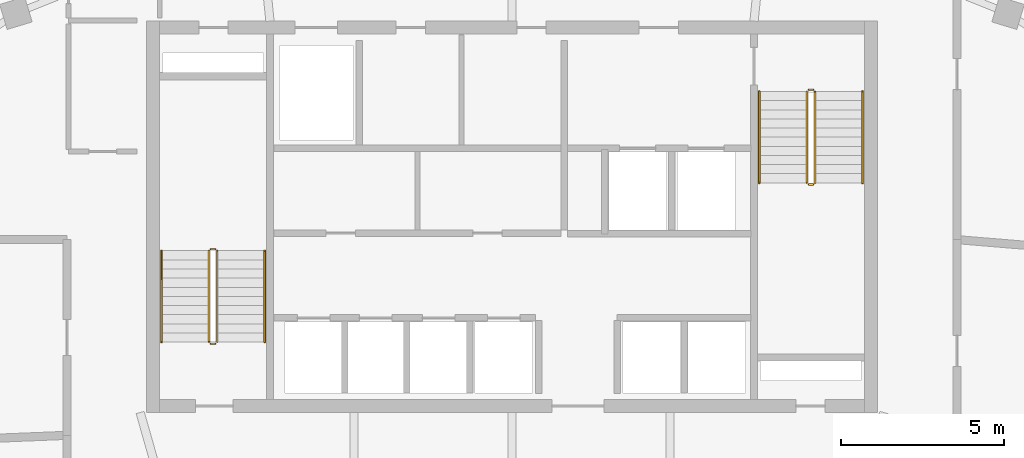
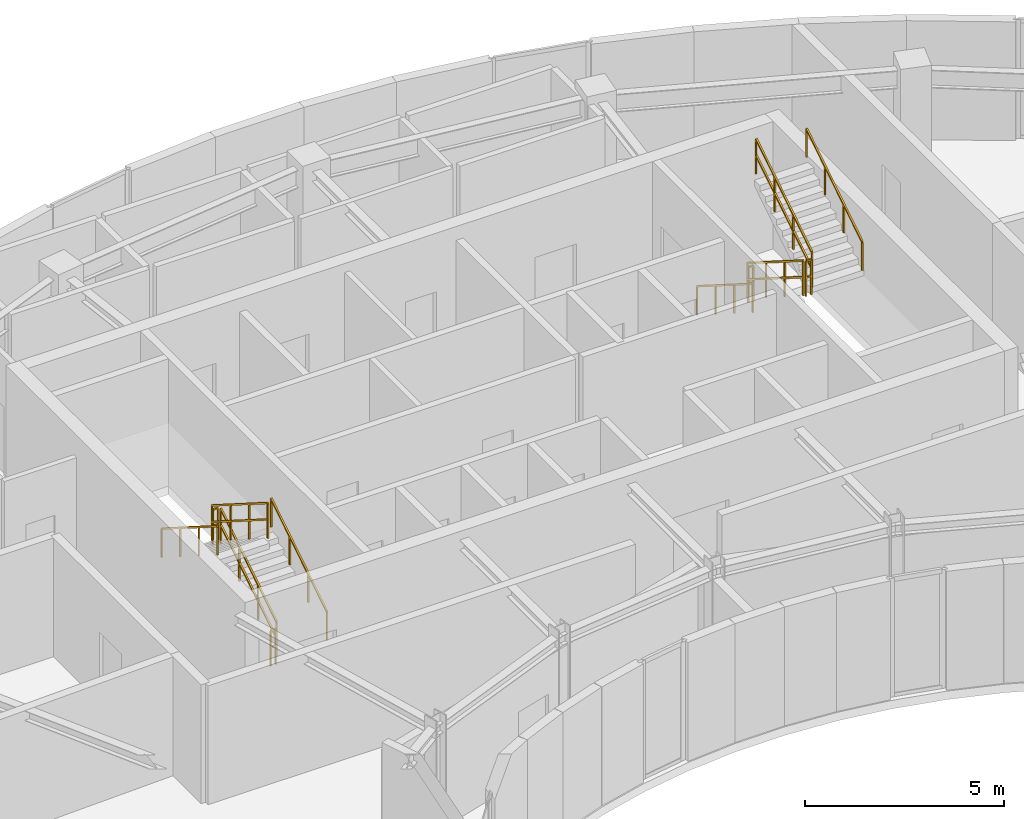
# One storey, part 9 of 9: 12 railings.
"""IFC4 building model written with IfcOpenShell, lengths in metres."""

from ifc_helpers import new_model, si_unit, direction, frame, origin, origin_2d, place, context, subcontext, project, spatial, rectangle, extrude, material, type_object, element, save


model = new_model("IFC4")

# Units and contexts
model_context = context("Model", 3, precision=1e-05, world=origin(), true_north=direction((0.0, 1.0)))
body_context = subcontext(model_context, "Body", "Model", "MODEL_VIEW")
ifc_project = project(units=[si_unit("LENGTHUNIT", "METRE"), si_unit("AREAUNIT", "SQUARE_METRE"), si_unit("VOLUMEUNIT", "CUBIC_METRE"), si_unit("PLANEANGLEUNIT", "RADIAN"), si_unit("MASSUNIT", "GRAM", prefix="KILO")], contexts=[model_context])

# Site, building, storey
site_placement = place(None, origin())
site = spatial("IfcSite", under=ifc_project, at=site_placement, CompositionType="ELEMENT")
building_placement = place(site_placement, origin())
building = spatial("IfcBuilding", under=site, at=building_placement, Name="Breltana Convention Tower", CompositionType="ELEMENT")
storey_placement = place(building_placement, frame((0.0, 0.0, 299.10009765625)))
storey = spatial("IfcBuildingStorey", under=building, at=storey_placement, Name="L73", CompositionType="ELEMENT", Elevation=299.10009765625)

# Railings
ifc_material_1 = material(Name="Steel S275 Painted", Category="steel")
railing_type_1 = type_object("IfcRailingType", Name="RL-STAIR-GUARD-1100", PredefinedType="GUARDRAIL", material=ifc_material_1)
railing_1_placement = place(storey_placement, frame((38.9599609375, 62.360107421875, 0.17724609375)))
element("IfcRailing", 1, at=railing_1_placement, inside=storey, type_object=railing_type_1, Name="L73 ST-1 stair guard 1", PredefinedType="GUARDRAIL", context=body_context, shape_type="SweptSolid", body=[
    extrude(rectangle(XDim=0.048095703125, YDim=0.048095703125, at=origin_2d()), frame((0.0, 0.0, 1.076171875), z_axis=(0.0, 0.844887892834, 0.53494340686), x_axis=(-1.0, 0.0, 0.0)), (0.0, 0.0, 1.0), 3.313720703125),
    extrude(rectangle(XDim=0.048095703125, YDim=0.048095703125, at=origin_2d()), frame((0.0, 0.0, 0.572021484375), z_axis=(0.0, 0.844887892834, 0.53494340686), x_axis=(-1.0, 0.0, 0.0)), (0.0, 0.0, 1.0), 3.313720703125),
    extrude(rectangle(XDim=0.0419921875, YDim=0.0419921875, at=origin_2d()), origin(), (0.0, 0.0, 1.0), 1.052001953125),
    extrude(rectangle(XDim=0.0419921875, YDim=0.0419921875, at=origin_2d()), frame((0.0, 0.933349609375, 0.5908203125)), (0.0, 0.0, 1.0), 1.052001953125),
    extrude(rectangle(XDim=0.0419921875, YDim=0.0419921875, at=origin_2d()), frame((0.0, 1.866455078125, 1.181884765625)), (0.0, 0.0, 1.0), 1.052001953125),
    extrude(rectangle(XDim=0.0419921875, YDim=0.0419921875, at=origin_2d()), frame((0.0, 2.7998046875, 1.772705078125)), (0.0, 0.0, 1.0), 1.052001953125),
])
railing_2_placement = place(storey_placement, frame((38.909912109375, 65.2099609375, 1.949951171875)))
element("IfcRailing", 2, at=railing_2_placement, inside=storey, type_object=railing_type_1, Name="L73 ST-1 stair guard 2", PredefinedType="GUARDRAIL", context=body_context, shape_type="SweptSolid", body=[
    extrude(rectangle(XDim=0.048095703125, YDim=0.048095703125, at=origin_2d()), frame((0.0, 0.0, 1.076171875), z_axis=(-1.0, 0.0, 0.0), x_axis=(0.0, -1.0, 0.0)), (0.0, 0.0, 1.0), 0.14990234375),
    extrude(rectangle(XDim=0.048095703125, YDim=0.048095703125, at=origin_2d()), frame((0.0, 0.0, 0.572021484375), z_axis=(-1.0, 0.0, 0.0), x_axis=(0.0, -1.0, 0.0)), (0.0, 0.0, 1.0), 0.14990234375),
    extrude(rectangle(XDim=0.0419921875, YDim=0.0419921875, at=origin_2d()), origin(), (0.0, 0.0, 1.0), 1.052001953125),
    extrude(rectangle(XDim=0.0419921875, YDim=0.0419921875, at=origin_2d()), frame((-0.14990234375, 0.0, 0.0)), (0.0, 0.0, 1.0), 1.052001953125),
])
railing_3_placement = place(storey_placement, frame((38.7099609375, 65.159912109375, 2.127197265625)))
element("IfcRailing", 3, at=railing_3_placement, inside=storey, type_object=railing_type_1, Name="L73 ST-1 stair guard 3", PredefinedType="GUARDRAIL", context=body_context, shape_type="SweptSolid", body=[
    extrude(rectangle(XDim=0.048095703125, YDim=0.048095703125, at=origin_2d()), frame((0.0, 0.0, 1.076171875), z_axis=(0.0, -0.844887892834, 0.53494340686), x_axis=(1.0, 0.0, 0.0)), (0.0, 0.0, 1.0), 3.313720703125),
    extrude(rectangle(XDim=0.048095703125, YDim=0.048095703125, at=origin_2d()), frame((0.0, 0.0, 0.572021484375), z_axis=(0.0, -0.844887892834, 0.53494340686), x_axis=(1.0, 0.0, 0.0)), (0.0, 0.0, 1.0), 3.313720703125),
    extrude(rectangle(XDim=0.0419921875, YDim=0.0419921875, at=origin_2d()), origin(), (0.0, 0.0, 1.0), 1.052001953125),
    extrude(rectangle(XDim=0.0419921875, YDim=0.0419921875, at=origin_2d()), frame((0.0, -0.933349609375, 0.5908203125)), (0.0, 0.0, 1.0), 1.052001953125),
    extrude(rectangle(XDim=0.0419921875, YDim=0.0419921875, at=origin_2d()), frame((0.0, -1.866455078125, 1.181884765625)), (0.0, 0.0, 1.0), 1.052001953125),
    extrude(rectangle(XDim=0.0419921875, YDim=0.0419921875, at=origin_2d()), frame((0.0, -2.7998046875, 1.772705078125)), (0.0, 0.0, 1.0), 1.052001953125),
])
railing_4_placement = place(storey_placement, frame((38.909912109375, 62.31005859375, 0.0)))
element("IfcRailing", 4, at=railing_4_placement, inside=storey, type_object=railing_type_1, Name="L73 ST-1 stair guard 4", PredefinedType="GUARDRAIL", context=body_context, shape_type="SweptSolid", body=[
    extrude(rectangle(XDim=0.048095703125, YDim=0.048095703125, at=origin_2d()), frame((0.0, 0.0, 1.076171875), z_axis=(-1.0, 0.0, 0.0), x_axis=(0.0, -1.0, 0.0)), (0.0, 0.0, 1.0), 0.14990234375),
    extrude(rectangle(XDim=0.048095703125, YDim=0.048095703125, at=origin_2d()), frame((0.0, 0.0, 0.572021484375), z_axis=(-1.0, 0.0, 0.0), x_axis=(0.0, -1.0, 0.0)), (0.0, 0.0, 1.0), 0.14990234375),
    extrude(rectangle(XDim=0.0419921875, YDim=0.0419921875, at=origin_2d()), origin(), (0.0, 0.0, 1.0), 1.052001953125),
    extrude(rectangle(XDim=0.0419921875, YDim=0.0419921875, at=origin_2d()), frame((-0.14990234375, 0.0, 0.0)), (0.0, 0.0, 1.0), 1.052001953125),
])
railing_5_placement = place(storey_placement, frame((57.0400390625, 70.0400390625, 0.17724609375)))
element("IfcRailing", 5, at=railing_5_placement, inside=storey, type_object=railing_type_1, Name="L73 ST-2 stair guard 1", PredefinedType="GUARDRAIL", context=body_context, shape_type="SweptSolid", body=[
    extrude(rectangle(XDim=0.048095703125, YDim=0.048095703125, at=origin_2d()), frame((0.0, 0.0, 1.076171875), z_axis=(0.0, -0.844908973607, 0.534910110503), x_axis=(1.0, 0.0, 0.0)), (0.0, 0.0, 1.0), 3.31396484375),
    extrude(rectangle(XDim=0.048095703125, YDim=0.048095703125, at=origin_2d()), frame((0.0, 0.0, 0.572021484375), z_axis=(0.0, -0.844908973607, 0.534910110503), x_axis=(1.0, 0.0, 0.0)), (0.0, 0.0, 1.0), 3.31396484375),
    extrude(rectangle(XDim=0.0419921875, YDim=0.0419921875, at=origin_2d()), origin(), (0.0, 0.0, 1.0), 1.052001953125),
    extrude(rectangle(XDim=0.0419921875, YDim=0.0419921875, at=origin_2d()), frame((0.0, -0.933349609375, 0.5908203125)), (0.0, 0.0, 1.0), 1.052001953125),
    extrude(rectangle(XDim=0.0419921875, YDim=0.0419921875, at=origin_2d()), frame((0.0, -1.86669921875, 1.181884765625)), (0.0, 0.0, 1.0), 1.052001953125),
    extrude(rectangle(XDim=0.0419921875, YDim=0.0419921875, at=origin_2d()), frame((0.0, -2.800048828125, 1.772705078125)), (0.0, 0.0, 1.0), 1.052001953125),
])
railing_6_placement = place(storey_placement, frame((57.090087890625, 67.18994140625, 1.949951171875)))
element("IfcRailing", 6, at=railing_6_placement, inside=storey, type_object=railing_type_1, Name="L73 ST-2 stair guard 2", PredefinedType="GUARDRAIL", context=body_context, shape_type="SweptSolid", body=[
    extrude(rectangle(XDim=0.048095703125, YDim=0.048095703125, at=origin_2d()), frame((0.0, 0.0, 1.076171875), z_axis=(1.0, 0.0, 0.0), x_axis=(0.0, 1.0, 0.0)), (0.0, 0.0, 1.0), 0.14990234375),
    extrude(rectangle(XDim=0.048095703125, YDim=0.048095703125, at=origin_2d()), frame((0.0, 0.0, 0.572021484375), z_axis=(1.0, 0.0, 0.0), x_axis=(0.0, 1.0, 0.0)), (0.0, 0.0, 1.0), 0.14990234375),
    extrude(rectangle(XDim=0.0419921875, YDim=0.0419921875, at=origin_2d()), origin(), (0.0, 0.0, 1.0), 1.052001953125),
    extrude(rectangle(XDim=0.0419921875, YDim=0.0419921875, at=origin_2d()), frame((0.14990234375, 0.0, 0.0)), (0.0, 0.0, 1.0), 1.052001953125),
])
railing_7_placement = place(storey_placement, frame((57.2900390625, 67.239990234375, 2.127197265625)))
element("IfcRailing", 7, at=railing_7_placement, inside=storey, type_object=railing_type_1, Name="L73 ST-2 stair guard 3", PredefinedType="GUARDRAIL", context=body_context, shape_type="SweptSolid", body=[
    extrude(rectangle(XDim=0.048095703125, YDim=0.048095703125, at=origin_2d()), frame((0.0, 0.0, 1.076171875), z_axis=(0.0, 0.844908973607, 0.534910110503), x_axis=(-1.0, 0.0, 0.0)), (0.0, 0.0, 1.0), 3.31396484375),
    extrude(rectangle(XDim=0.048095703125, YDim=0.048095703125, at=origin_2d()), frame((0.0, 0.0, 0.572021484375), z_axis=(0.0, 0.844908973607, 0.534910110503), x_axis=(-1.0, 0.0, 0.0)), (0.0, 0.0, 1.0), 3.31396484375),
    extrude(rectangle(XDim=0.0419921875, YDim=0.0419921875, at=origin_2d()), origin(), (0.0, 0.0, 1.0), 1.052001953125),
    extrude(rectangle(XDim=0.0419921875, YDim=0.0419921875, at=origin_2d()), frame((0.0, 0.933349609375, 0.5908203125)), (0.0, 0.0, 1.0), 1.052001953125),
    extrude(rectangle(XDim=0.0419921875, YDim=0.0419921875, at=origin_2d()), frame((0.0, 1.86669921875, 1.181884765625)), (0.0, 0.0, 1.0), 1.052001953125),
    extrude(rectangle(XDim=0.0419921875, YDim=0.0419921875, at=origin_2d()), frame((0.0, 2.800048828125, 1.772705078125)), (0.0, 0.0, 1.0), 1.052001953125),
])
railing_8_placement = place(storey_placement, frame((57.090087890625, 70.090087890625, 0.0)))
element("IfcRailing", 8, at=railing_8_placement, inside=storey, type_object=railing_type_1, Name="L73 ST-2 stair guard 4", PredefinedType="GUARDRAIL", context=body_context, shape_type="SweptSolid", body=[
    extrude(rectangle(XDim=0.048095703125, YDim=0.048095703125, at=origin_2d()), frame((0.0, 0.0, 1.076171875), z_axis=(1.0, 0.0, 0.0), x_axis=(0.0, 1.0, 0.0)), (0.0, 0.0, 1.0), 0.14990234375),
    extrude(rectangle(XDim=0.048095703125, YDim=0.048095703125, at=origin_2d()), frame((0.0, 0.0, 0.572021484375), z_axis=(1.0, 0.0, 0.0), x_axis=(0.0, 1.0, 0.0)), (0.0, 0.0, 1.0), 0.14990234375),
    extrude(rectangle(XDim=0.0419921875, YDim=0.0419921875, at=origin_2d()), origin(), (0.0, 0.0, 1.0), 1.052001953125),
    extrude(rectangle(XDim=0.0419921875, YDim=0.0419921875, at=origin_2d()), frame((0.14990234375, 0.0, 0.0)), (0.0, 0.0, 1.0), 1.052001953125),
])
ifc_material_2 = material(Name="Stainless Steel 316L", Category="steel")
railing_type_2 = type_object("IfcRailingType", Name="RL-STAIR-HANDRAIL-900", PredefinedType="HANDRAIL", material=ifc_material_2)
railing_9_placement = place(storey_placement, frame((40.419921875, 62.360107421875, 0.17724609375)))
element("IfcRailing", 9, at=railing_9_placement, inside=storey, type_object=railing_type_2, Name="L73 ST-1 stair handrail 1", PredefinedType="HANDRAIL", context=body_context, shape_type="SweptSolid", body=[
    extrude(rectangle(XDim=0.048095703125, YDim=0.048095703125, at=origin_2d()), frame((0.0, 0.0, 0.8759765625), z_axis=(0.0, 0.844887892834, 0.53494340686), x_axis=(-1.0, 0.0, 0.0)), (0.0, 0.0, 1.0), 3.313720703125),
    extrude(rectangle(XDim=0.0419921875, YDim=0.0419921875, at=origin_2d()), origin(), (0.0, 0.0, 1.0), 0.851806640625),
    extrude(rectangle(XDim=0.0419921875, YDim=0.0419921875, at=origin_2d()), frame((0.0, 0.933349609375, 0.5908203125)), (0.0, 0.0, 1.0), 0.851806640625),
    extrude(rectangle(XDim=0.0419921875, YDim=0.0419921875, at=origin_2d()), frame((0.0, 1.866455078125, 1.181884765625)), (0.0, 0.0, 1.0), 0.851806640625),
    extrude(rectangle(XDim=0.0419921875, YDim=0.0419921875, at=origin_2d()), frame((0.0, 2.7998046875, 1.772705078125)), (0.0, 0.0, 1.0), 0.851806640625),
])
railing_10_placement = place(storey_placement, frame((37.25, 65.159912109375, 2.127197265625)))
element("IfcRailing", 10, at=railing_10_placement, inside=storey, type_object=railing_type_2, Name="L73 ST-1 stair handrail 2", PredefinedType="HANDRAIL", context=body_context, shape_type="SweptSolid", body=[
    extrude(rectangle(XDim=0.048095703125, YDim=0.048095703125, at=origin_2d()), frame((0.0, 0.0, 0.8759765625), z_axis=(0.0, -0.844887892834, 0.53494340686), x_axis=(1.0, 0.0, 0.0)), (0.0, 0.0, 1.0), 3.313720703125),
    extrude(rectangle(XDim=0.0419921875, YDim=0.0419921875, at=origin_2d()), origin(), (0.0, 0.0, 1.0), 0.851806640625),
    extrude(rectangle(XDim=0.0419921875, YDim=0.0419921875, at=origin_2d()), frame((0.0, -0.933349609375, 0.5908203125)), (0.0, 0.0, 1.0), 0.851806640625),
    extrude(rectangle(XDim=0.0419921875, YDim=0.0419921875, at=origin_2d()), frame((0.0, -1.866455078125, 1.181884765625)), (0.0, 0.0, 1.0), 0.851806640625),
    extrude(rectangle(XDim=0.0419921875, YDim=0.0419921875, at=origin_2d()), frame((0.0, -2.7998046875, 1.772705078125)), (0.0, 0.0, 1.0), 0.851806640625),
])
railing_11_placement = place(storey_placement, frame((55.580078125, 70.0400390625, 0.17724609375)))
element("IfcRailing", 11, at=railing_11_placement, inside=storey, type_object=railing_type_2, Name="L73 ST-2 stair handrail 1", PredefinedType="HANDRAIL", context=body_context, shape_type="SweptSolid", body=[
    extrude(rectangle(XDim=0.048095703125, YDim=0.048095703125, at=origin_2d()), frame((0.0, 0.0, 0.8759765625), z_axis=(0.0, -0.844908973607, 0.534910110503), x_axis=(1.0, 0.0, 0.0)), (0.0, 0.0, 1.0), 3.31396484375),
    extrude(rectangle(XDim=0.0419921875, YDim=0.0419921875, at=origin_2d()), origin(), (0.0, 0.0, 1.0), 0.851806640625),
    extrude(rectangle(XDim=0.0419921875, YDim=0.0419921875, at=origin_2d()), frame((0.0, -0.933349609375, 0.5908203125)), (0.0, 0.0, 1.0), 0.851806640625),
    extrude(rectangle(XDim=0.0419921875, YDim=0.0419921875, at=origin_2d()), frame((0.0, -1.86669921875, 1.181884765625)), (0.0, 0.0, 1.0), 0.851806640625),
    extrude(rectangle(XDim=0.0419921875, YDim=0.0419921875, at=origin_2d()), frame((0.0, -2.800048828125, 1.772705078125)), (0.0, 0.0, 1.0), 0.851806640625),
])
railing_12_placement = place(storey_placement, frame((58.75, 67.239990234375, 2.127197265625)))
element("IfcRailing", 12, at=railing_12_placement, inside=storey, type_object=railing_type_2, Name="L73 ST-2 stair handrail 2", PredefinedType="HANDRAIL", context=body_context, shape_type="SweptSolid", body=[
    extrude(rectangle(XDim=0.048095703125, YDim=0.048095703125, at=origin_2d()), frame((0.0, 0.0, 0.8759765625), z_axis=(0.0, 0.844908973607, 0.534910110503), x_axis=(-1.0, 0.0, 0.0)), (0.0, 0.0, 1.0), 3.31396484375),
    extrude(rectangle(XDim=0.0419921875, YDim=0.0419921875, at=origin_2d()), origin(), (0.0, 0.0, 1.0), 0.851806640625),
    extrude(rectangle(XDim=0.0419921875, YDim=0.0419921875, at=origin_2d()), frame((0.0, 0.933349609375, 0.5908203125)), (0.0, 0.0, 1.0), 0.851806640625),
    extrude(rectangle(XDim=0.0419921875, YDim=0.0419921875, at=origin_2d()), frame((0.0, 1.86669921875, 1.181884765625)), (0.0, 0.0, 1.0), 0.851806640625),
    extrude(rectangle(XDim=0.0419921875, YDim=0.0419921875, at=origin_2d()), frame((0.0, 2.800048828125, 1.772705078125)), (0.0, 0.0, 1.0), 0.851806640625),
])

save(model, "model.ifc")
